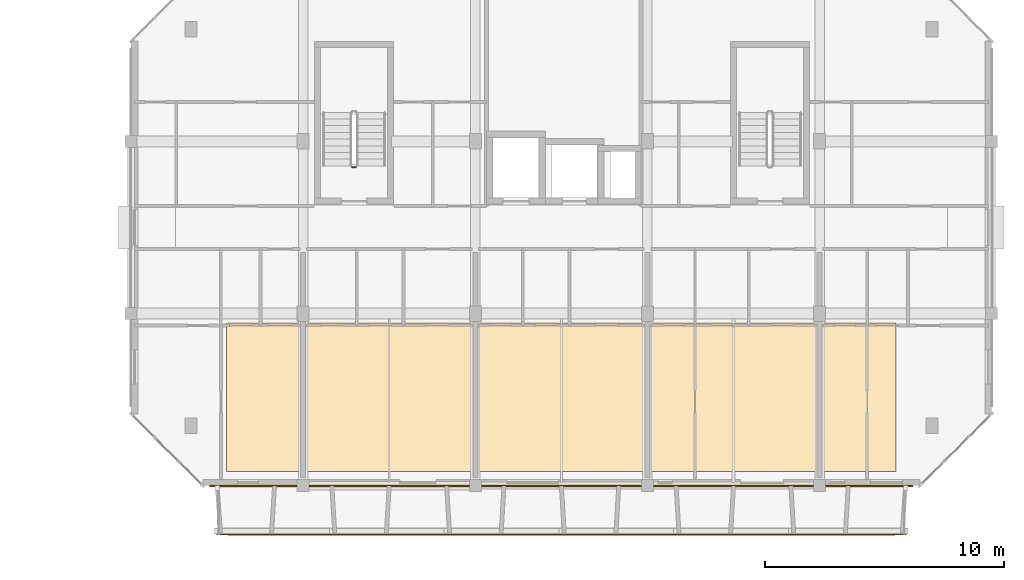
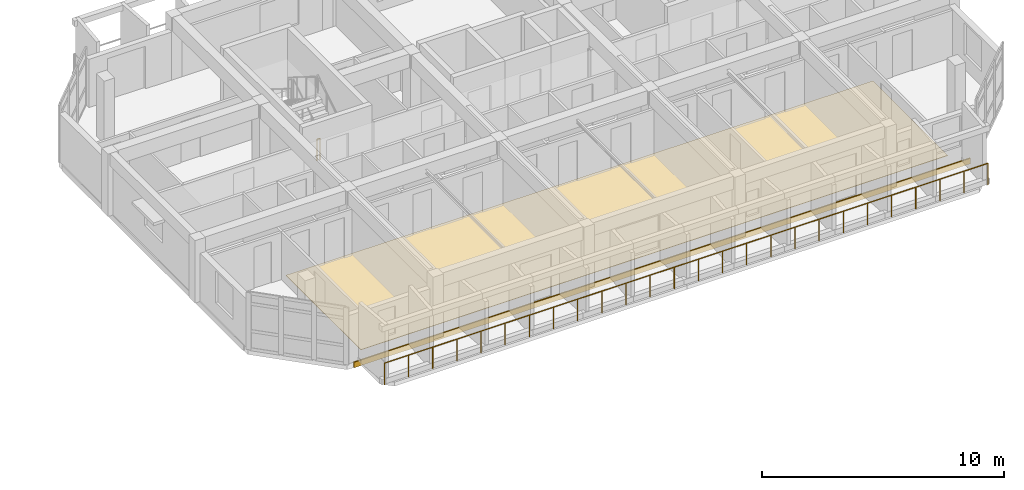
# One storey, part 42 of 46: 2 coverings, 2 railings.
"""IFC4 building model written with IfcOpenShell, lengths in metres."""

from ifc_helpers import new_model, si_unit, direction, frame, origin, origin_2d, place, context, subcontext, project, spatial, polyline, rectangle, circle, outline, extrude, material, layer, layer_set, type_object, element, save


model = new_model("IFC4")

# Units and contexts
model_context = context("Model", 3, precision=1e-05, world=origin(), true_north=direction((0.0, 1.0)))
body_context = subcontext(model_context, "Body", "Model", "MODEL_VIEW")
ifc_project = project(units=[si_unit("LENGTHUNIT", "METRE"), si_unit("AREAUNIT", "SQUARE_METRE"), si_unit("VOLUMEUNIT", "CUBIC_METRE"), si_unit("PLANEANGLEUNIT", "RADIAN"), si_unit("MASSUNIT", "GRAM", prefix="KILO")], contexts=[model_context])

# Site, building, storey
site_placement = place(None, origin())
site = spatial("IfcSite", under=ifc_project, at=site_placement, CompositionType="ELEMENT")
building_placement = place(site_placement, origin())
building = spatial("IfcBuilding", under=site, at=building_placement, Name="Ochrevale Crest", CompositionType="ELEMENT")
storey_placement = place(building_placement, frame((0.0, 0.0, 24.449951171875)))
storey = spatial("IfcBuildingStorey", under=building, at=storey_placement, Name="L07", CompositionType="ELEMENT", Elevation=24.449951171875)

# Coverings
ifc_material_1 = material(Name="Glazed terracotta rainscreen tile", Category="masonry")
ifc_layer_1 = layer(ifc_material_1, 0.048095703125)
ifc_layer_set_1 = layer_set([ifc_layer_1], Name="Glazed terracotta rainscreen tile")
covering_type_1 = type_object("IfcCoveringType", Name="COV-CLAD-TER", PredefinedType="CLADDING", material=ifc_layer_set_1)
covering_1_placement = place(storey_placement, frame((147.60009765625, 14.387451171875, -0.259765625), z_axis=(0.0, 0.0, 1.0), x_axis=(1.0, 0.0, 0.0)))
element("IfcCovering", 1, at=covering_1_placement, inside=storey, type_object=covering_type_1, Name="Block C L07 terracotta slab-edge spandrel cladding", PredefinedType="CLADDING", context=body_context, shape_type="SweptSolid", body=[
    extrude(rectangle(XDim=29.39990234375, YDim=0.06005859375, at=origin_2d()), origin(), (0.0, 0.0, 1.0), 0.280029296875),
])
ifc_material_2 = material(Name="Engineered spotted-gum hardwood flooring", Category="wood")
ifc_layer_2 = layer(ifc_material_2, 0.02001953125)
ifc_layer_set_2 = layer_set([ifc_layer_2], Name="Engineered spotted-gum hardwood flooring")
covering_type_2 = type_object("IfcCoveringType", Name="COV-FLR-TIM", PredefinedType="FLOORING", material=ifc_layer_set_2)
covering_2_placement = place(storey_placement, origin())
element("IfcCovering", 2, at=covering_2_placement, inside=storey, type_object=covering_type_2, Name="Block C L07 spotted-gum apartment flooring", PredefinedType="FLOORING", context=body_context, shape_type="SweptSolid", body=[
    extrude(outline(polyline([(133.60009765625, 15.0), (161.60009765625, 15.0), (161.60009765625, 21.199951171875), (133.60009765625, 21.199951171875), (133.60009765625, 15.0)])), origin(), (0.0, 0.0, 1.0), 0.02001953125),
])

# Railings
ifc_material_3 = material(Name="Galvanised steel", Category="steel")
railing_type_1 = type_object("IfcRailingType", Name="RL-BAL-1100", PredefinedType="BALUSTRADE", material=ifc_material_3)
railing_1_placement = place(storey_placement, frame((133.199951171875, 12.360107421875, 0.0)))
element("IfcRailing", 3, at=railing_1_placement, inside=storey, type_object=railing_type_1, Name="Block C L07 S balcony front balustrade", PredefinedType="BALUSTRADE", context=body_context, shape_type="SweptSolid", body=[
    extrude(circle(Radius=0.02392578125, at=origin_2d()), frame((0.0, 0.0, 1.0859375), z_axis=(1.0, 0.0, 0.0), x_axis=(0.0, 1.0, 0.0)), (0.0, 0.0, 1.0), 28.800048828125),
    extrude(circle(Radius=0.02099609375, at=origin_2d()), origin(), (0.0, 0.0, 1.0), 1.06201171875),
    extrude(circle(Radius=0.02099609375, at=origin_2d()), frame((1.152099609375, 0.0, 0.0)), (0.0, 0.0, 1.0), 1.06201171875),
    extrude(circle(Radius=0.02099609375, at=origin_2d()), frame((2.303955078125, 0.0, 0.0)), (0.0, 0.0, 1.0), 1.06201171875),
    extrude(circle(Radius=0.02099609375, at=origin_2d()), frame((3.4560546875, 0.0, 0.0)), (0.0, 0.0, 1.0), 1.06201171875),
    extrude(circle(Radius=0.02099609375, at=origin_2d()), frame((4.60791015625, 0.0, 0.0)), (0.0, 0.0, 1.0), 1.06201171875),
    extrude(circle(Radius=0.02099609375, at=origin_2d()), frame((5.760009765625, 0.0, 0.0)), (0.0, 0.0, 1.0), 1.06201171875),
    extrude(circle(Radius=0.02099609375, at=origin_2d()), frame((6.912109375, 0.0, 0.0)), (0.0, 0.0, 1.0), 1.06201171875),
    extrude(circle(Radius=0.02099609375, at=origin_2d()), frame((8.06396484375, 0.0, 0.0)), (0.0, 0.0, 1.0), 1.06201171875),
    extrude(circle(Radius=0.02099609375, at=origin_2d()), frame((9.216064453125, 0.0, 0.0)), (0.0, 0.0, 1.0), 1.06201171875),
    extrude(circle(Radius=0.02099609375, at=origin_2d()), frame((10.367919921875, 0.0, 0.0)), (0.0, 0.0, 1.0), 1.06201171875),
    extrude(circle(Radius=0.02099609375, at=origin_2d()), frame((11.52001953125, 0.0, 0.0)), (0.0, 0.0, 1.0), 1.06201171875),
    extrude(circle(Radius=0.02099609375, at=origin_2d()), frame((12.672119140625, 0.0, 0.0)), (0.0, 0.0, 1.0), 1.06201171875),
    extrude(circle(Radius=0.02099609375, at=origin_2d()), frame((13.823974609375, 0.0, 0.0)), (0.0, 0.0, 1.0), 1.06201171875),
    extrude(circle(Radius=0.02099609375, at=origin_2d()), frame((14.97607421875, 0.0, 0.0)), (0.0, 0.0, 1.0), 1.06201171875),
    extrude(circle(Radius=0.02099609375, at=origin_2d()), frame((16.1279296875, 0.0, 0.0)), (0.0, 0.0, 1.0), 1.06201171875),
    extrude(circle(Radius=0.02099609375, at=origin_2d()), frame((17.280029296875, 0.0, 0.0)), (0.0, 0.0, 1.0), 1.06201171875),
    extrude(circle(Radius=0.02099609375, at=origin_2d()), frame((18.43212890625, 0.0, 0.0)), (0.0, 0.0, 1.0), 1.06201171875),
    extrude(circle(Radius=0.02099609375, at=origin_2d()), frame((19.583984375, 0.0, 0.0)), (0.0, 0.0, 1.0), 1.06201171875),
    extrude(circle(Radius=0.02099609375, at=origin_2d()), frame((20.736083984375, 0.0, 0.0)), (0.0, 0.0, 1.0), 1.06201171875),
    extrude(circle(Radius=0.02099609375, at=origin_2d()), frame((21.887939453125, 0.0, 0.0)), (0.0, 0.0, 1.0), 1.06201171875),
    extrude(circle(Radius=0.02099609375, at=origin_2d()), frame((23.0400390625, 0.0, 0.0)), (0.0, 0.0, 1.0), 1.06201171875),
    extrude(circle(Radius=0.02099609375, at=origin_2d()), frame((24.192138671875, 0.0, 0.0)), (0.0, 0.0, 1.0), 1.06201171875),
    extrude(circle(Radius=0.02099609375, at=origin_2d()), frame((25.343994140625, 0.0, 0.0)), (0.0, 0.0, 1.0), 1.06201171875),
    extrude(circle(Radius=0.02099609375, at=origin_2d()), frame((26.49609375, 0.0, 0.0)), (0.0, 0.0, 1.0), 1.06201171875),
    extrude(circle(Radius=0.02099609375, at=origin_2d()), frame((27.64794921875, 0.0, 0.0)), (0.0, 0.0, 1.0), 1.06201171875),
    extrude(circle(Radius=0.02099609375, at=origin_2d()), frame((28.800048828125, 0.0, 0.0)), (0.0, 0.0, 1.0), 1.06201171875),
])
railing_type_2 = type_object("IfcRailingType", Name="RL-ST-GUARD", PredefinedType="BALUSTRADE", material=ifc_material_3)
railing_2_placement = place(storey_placement, frame((139.0, 27.72509765625, 0.0)))
element("IfcRailing", 4, at=railing_2_placement, inside=storey, type_object=railing_type_2, Name="L07 ST-C1 stair guard 4", PredefinedType="BALUSTRADE", context=body_context, shape_type="SweptSolid", body=[
    extrude(circle(Radius=0.02392578125, at=origin_2d()), frame((0.0, 0.0, 1.076171875), z_axis=(-1.0, 0.0, 0.0), x_axis=(0.0, -1.0, 0.0)), (0.0, 0.0, 1.0), 0.14990234375),
    extrude(circle(Radius=0.02099609375, at=origin_2d()), origin(), (0.0, 0.0, 1.0), 1.052001953125),
    extrude(circle(Radius=0.02099609375, at=origin_2d()), frame((-0.14990234375, 0.0, 0.0)), (0.0, 0.0, 1.0), 1.052001953125),
])

save(model, "model.ifc")
